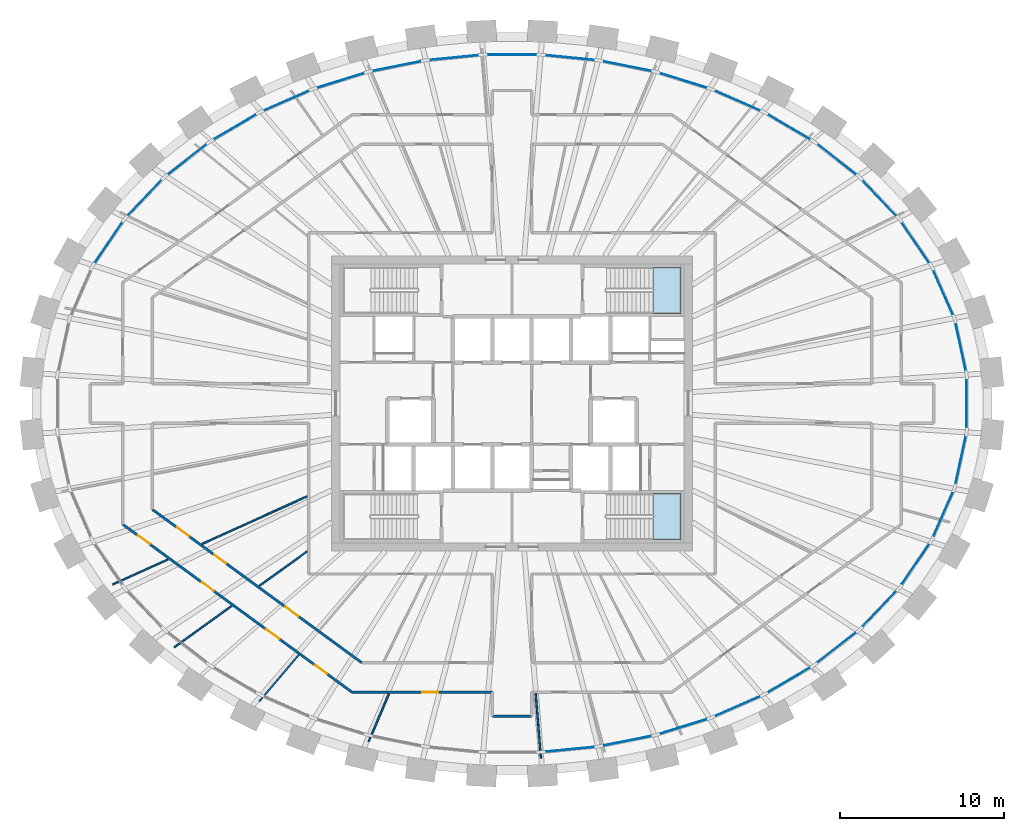
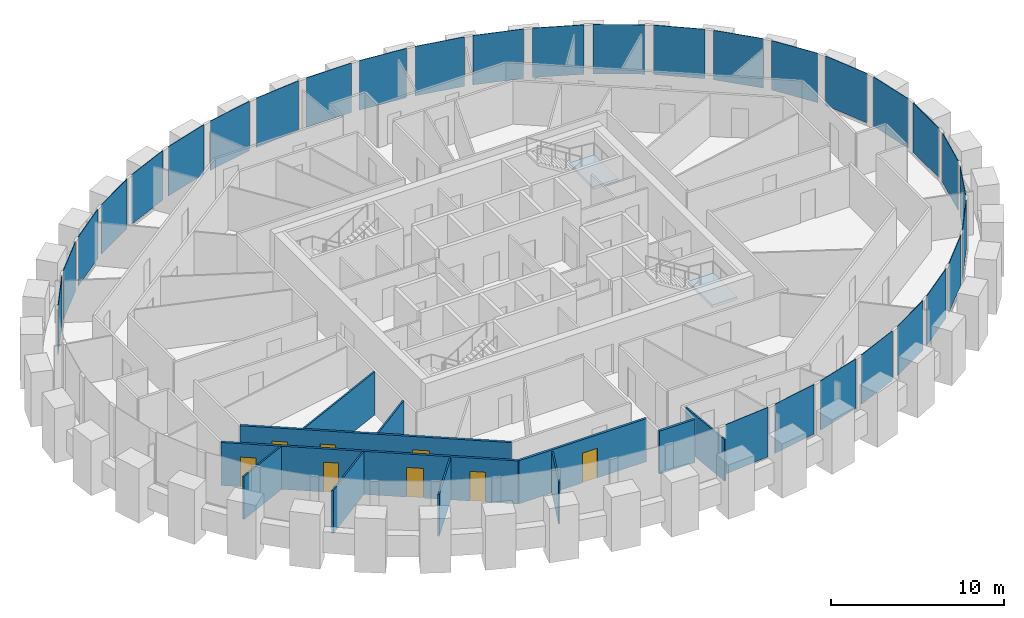
# One storey, part 5 of 11: 30 plates, 11 walls, 8 doors, 2 slabs, 8 openings, 3 elements without a shape of their own.
"""IFC4 building model written with IfcOpenShell, lengths in metres."""

from ifc_helpers import new_model, si_unit, direction, frame, frame_2d, origin, origin_2d, place, context, subcontext, project, spatial, polyline, rectangle, outline, extrude, source, transform, mapped, material, layer, layer_set, type_object, element, fill, aggregate, save


model = new_model("IFC4")

# Units and contexts
model_context = context("Model", 3, precision=1e-05, world=origin(), true_north=direction((0.0, 1.0)))
body_context = subcontext(model_context, "Body", "Model", "MODEL_VIEW")
ifc_project = project(units=[si_unit("LENGTHUNIT", "METRE"), si_unit("AREAUNIT", "SQUARE_METRE"), si_unit("VOLUMEUNIT", "CUBIC_METRE"), si_unit("PLANEANGLEUNIT", "RADIAN"), si_unit("MASSUNIT", "GRAM", prefix="KILO")], contexts=[model_context])

# Site, building, storey
site_placement = place(None, origin())
site = spatial("IfcSite", under=ifc_project, at=site_placement, CompositionType="ELEMENT")
building_placement = place(site_placement, origin())
building = spatial("IfcBuilding", under=site, at=building_placement, Name="Embergate Tower", CompositionType="ELEMENT")
storey_placement = place(building_placement, frame((0.0, 0.0, 328.60009765625)))
storey = spatial("IfcBuildingStorey", under=building, at=storey_placement, Name="L77", CompositionType="ELEMENT", Elevation=328.60009765625)

# Curtain wall, plates
ifc_material_1 = material(Name="Aluminium and glass", Category="aluminium")
curtain_wall_type = type_object("IfcCurtainWallType", Name="Recessed office glazing", PredefinedType="NOTDEFINED", material=ifc_material_1)
curtain_wall_placement = place(storey_placement, origin())
curtain_wall = element("IfcCurtainWall", 1, at=curtain_wall_placement, inside=storey, type_object=curtain_wall_type, Name="Recessed office glazing ring", ObjectType="RECESSED OFFICE GLAZING", PredefinedType="USERDEFINED")
ifc_material_2 = material(Name="Triple glazing, low-emissivity coating", Category="glass")
ifc_layer_1 = layer(ifc_material_2, 0.035888671875)
ifc_layer_set_1 = layer_set([ifc_layer_1], Name="Triple glazing, low-emissivity coating")
plate_type = type_object("IfcPlateType", Name="Office glazing unit", PredefinedType="CURTAIN_PANEL", material=ifc_layer_set_1)
shared_shape_1 = source(origin(), body_context, "Body", "SweptSolid", [
    extrude(rectangle(XDim=2.97119140625, YDim=0.035888671875, at=origin_2d()), origin(), (0.0, 0.0, 1.0), 3.5),
])
plate_1_placement = place(storey_placement, frame((27.359130859375, 3.450927734375, 0.14990234375), z_axis=(0.0, 0.0, 1.0), x_axis=(-0.210401803698, 0.977614996305, 0.0)))
plate_1 = element("IfcPlate", 2, at=plate_1_placement, type_object=plate_type, Name="CW panel 1.1", PredefinedType="CURTAIN_PANEL", context=body_context, shape_type="MappedRepresentation", body=[
    mapped(shared_shape_1, transform((0.0, 0.0, 0.0))),
])
plate_2_placement = place(storey_placement, frame((27.359130859375, -3.450927734375, 0.14990234375), z_axis=(0.0, 0.0, 1.0), x_axis=(0.210401803698, 0.977614996305, 0.0)))
plate_2 = element("IfcPlate", 3, at=plate_2_placement, type_object=plate_type, Name="CW panel 43.1", PredefinedType="CURTAIN_PANEL", context=body_context, shape_type="MappedRepresentation", body=[
    mapped(shared_shape_1, transform((0.0, 0.0, 0.0))),
])
shared_shape_2 = source(origin(), body_context, "Body", "SweptSolid", [
    extrude(rectangle(XDim=2.977783203125, YDim=0.035888671875, at=origin_2d()), origin(), (0.0, 0.0, 1.0), 3.5),
])
plate_3_placement = place(storey_placement, frame((26.28955078125, 6.759033203125, 0.14990234375), z_axis=(0.0, 0.0, 1.0), x_axis=(-0.401658494584, 0.915789524797, 0.0)))
plate_3 = element("IfcPlate", 4, at=plate_3_placement, type_object=plate_type, Name="CW panel 2.1", PredefinedType="CURTAIN_PANEL", context=body_context, shape_type="MappedRepresentation", body=[
    mapped(shared_shape_2, transform((0.0, 0.0, 0.0))),
])
plate_4_placement = place(storey_placement, frame((26.28955078125, -6.759033203125, 0.14990234375), z_axis=(0.0, 0.0, 1.0), x_axis=(0.401658494584, 0.915789524797, 0.0)))
plate_4 = element("IfcPlate", 5, at=plate_4_placement, type_object=plate_type, Name="CW panel 42.1", PredefinedType="CURTAIN_PANEL", context=body_context, shape_type="MappedRepresentation", body=[
    mapped(shared_shape_2, transform((0.0, 0.0, 0.0))),
])
shared_shape_3 = source(origin(), body_context, "Body", "SweptSolid", [
    extrude(rectangle(XDim=2.986328125, YDim=0.035888671875, at=origin_2d()), origin(), (0.0, 0.0, 1.0), 3.5),
])
plate_5_placement = place(storey_placement, frame((24.60107421875, 9.810302734375, 0.14990234375), z_axis=(0.0, 0.0, 1.0), x_axis=(-0.562347514787, 0.826901005328, 0.0)))
plate_5 = element("IfcPlate", 6, at=plate_5_placement, type_object=plate_type, Name="CW panel 3.1", PredefinedType="CURTAIN_PANEL", context=body_context, shape_type="MappedRepresentation", body=[
    mapped(shared_shape_3, transform((0.0, 0.0, 0.0))),
])
plate_6_placement = place(storey_placement, frame((-24.60107421875, 9.810302734375, 0.14990234375), z_axis=(0.0, 0.0, 1.0), x_axis=(-0.562347514787, -0.826901005328, 0.0)))
plate_6 = element("IfcPlate", 7, at=plate_6_placement, type_object=plate_type, Name="CW panel 19.1", PredefinedType="CURTAIN_PANEL", context=body_context, shape_type="MappedRepresentation", body=[
    mapped(shared_shape_3, transform((0.0, 0.0, 0.0))),
])
plate_7_placement = place(storey_placement, frame((24.60107421875, -9.810302734375, 0.14990234375), z_axis=(0.0, 0.0, 1.0), x_axis=(0.562347514787, 0.826901005328, 0.0)))
plate_7 = element("IfcPlate", 8, at=plate_7_placement, type_object=plate_type, Name="CW panel 41.1", PredefinedType="CURTAIN_PANEL", context=body_context, shape_type="MappedRepresentation", body=[
    mapped(shared_shape_3, transform((0.0, 0.0, 0.0))),
])
shared_shape_4 = source(origin(), body_context, "Body", "SweptSolid", [
    extrude(rectangle(XDim=2.994873046875, YDim=0.035888671875, at=origin_2d()), origin(), (0.0, 0.0, 1.0), 3.5),
])
plate_8_placement = place(storey_placement, frame((22.40234375, 12.531982421875, 0.14990234375), z_axis=(0.0, 0.0, 1.0), x_axis=(-0.690137573644, 0.723678194673, 0.0)))
plate_8 = element("IfcPlate", 9, at=plate_8_placement, type_object=plate_type, Name="CW panel 4.1", PredefinedType="CURTAIN_PANEL", context=body_context, shape_type="MappedRepresentation", body=[
    mapped(shared_shape_4, transform((0.0, 0.0, 0.0))),
])
plate_9_placement = place(storey_placement, frame((-22.40234375, 12.531982421875, 0.14990234375), z_axis=(0.0, 0.0, 1.0), x_axis=(-0.690137573644, -0.723678194673, 0.0)))
plate_9 = element("IfcPlate", 10, at=plate_9_placement, type_object=plate_type, Name="CW panel 18.1", PredefinedType="CURTAIN_PANEL", context=body_context, shape_type="MappedRepresentation", body=[
    mapped(shared_shape_4, transform((0.0, 0.0, 0.0))),
])
plate_10_placement = place(storey_placement, frame((22.40234375, -12.531982421875, 0.14990234375), z_axis=(0.0, 0.0, 1.0), x_axis=(0.690137573644, 0.723678194673, 0.0)))
plate_10 = element("IfcPlate", 11, at=plate_10_placement, type_object=plate_type, Name="CW panel 40.1", PredefinedType="CURTAIN_PANEL", context=body_context, shape_type="MappedRepresentation", body=[
    mapped(shared_shape_4, transform((0.0, 0.0, 0.0))),
])
shared_shape_5 = source(origin(), body_context, "Body", "SweptSolid", [
    extrude(rectangle(XDim=3.001953125, YDim=0.035888671875, at=origin_2d()), origin(), (0.0, 0.0, 1.0), 3.5),
])
plate_11_placement = place(storey_placement, frame((19.80126953125, 14.88720703125, 0.14990234375), z_axis=(0.0, 0.0, 1.0), x_axis=(-0.788322266931, 0.615262548398, 0.0)))
plate_11 = element("IfcPlate", 12, at=plate_11_placement, type_object=plate_type, Name="CW panel 5.1", PredefinedType="CURTAIN_PANEL", context=body_context, shape_type="MappedRepresentation", body=[
    mapped(shared_shape_5, transform((0.0, 0.0, 0.0))),
])
plate_12_placement = place(storey_placement, frame((-19.80126953125, 14.88720703125, 0.14990234375), z_axis=(0.0, 0.0, 1.0), x_axis=(-0.788322266931, -0.615262548398, 0.0)))
plate_12 = element("IfcPlate", 13, at=plate_12_placement, type_object=plate_type, Name="CW panel 17.1", PredefinedType="CURTAIN_PANEL", context=body_context, shape_type="MappedRepresentation", body=[
    mapped(shared_shape_5, transform((0.0, 0.0, 0.0))),
])
plate_13_placement = place(storey_placement, frame((19.80126953125, -14.88720703125, 0.14990234375), z_axis=(0.0, 0.0, 1.0), x_axis=(0.788322266931, 0.615262548398, 0.0)))
plate_13 = element("IfcPlate", 14, at=plate_13_placement, type_object=plate_type, Name="CW panel 39.1", PredefinedType="CURTAIN_PANEL", context=body_context, shape_type="MappedRepresentation", body=[
    mapped(shared_shape_5, transform((0.0, 0.0, 0.0))),
])
shared_shape_6 = source(origin(), body_context, "Body", "SweptSolid", [
    extrude(rectangle(XDim=3.0078125, YDim=0.035888671875, at=origin_2d()), origin(), (0.0, 0.0, 1.0), 3.5),
])
plate_14_placement = place(storey_placement, frame((16.892578125, 16.864501953125, 0.14990234375), z_axis=(0.0, 0.0, 1.0), x_axis=(-0.862054052374, 0.506816348183, 0.0)))
plate_14 = element("IfcPlate", 15, at=plate_14_placement, type_object=plate_type, Name="CW panel 6.1", PredefinedType="CURTAIN_PANEL", context=body_context, shape_type="MappedRepresentation", body=[
    mapped(shared_shape_6, transform((0.0, 0.0, 0.0))),
])
plate_15_placement = place(storey_placement, frame((-16.892578125, 16.864501953125, 0.14990234375), z_axis=(0.0, 0.0, 1.0), x_axis=(-0.862054052374, -0.506816348183, 0.0)))
plate_15 = element("IfcPlate", 16, at=plate_15_placement, type_object=plate_type, Name="CW panel 16.1", PredefinedType="CURTAIN_PANEL", context=body_context, shape_type="MappedRepresentation", body=[
    mapped(shared_shape_6, transform((0.0, 0.0, 0.0))),
])
plate_16_placement = place(storey_placement, frame((16.892578125, -16.864501953125, 0.14990234375), z_axis=(0.0, 0.0, 1.0), x_axis=(0.862054052374, 0.506816348183, 0.0)))
plate_16 = element("IfcPlate", 17, at=plate_16_placement, type_object=plate_type, Name="CW panel 38.1", PredefinedType="CURTAIN_PANEL", context=body_context, shape_type="MappedRepresentation", body=[
    mapped(shared_shape_6, transform((0.0, 0.0, 0.0))),
])
shared_shape_7 = source(origin(), body_context, "Body", "SweptSolid", [
    extrude(rectangle(XDim=3.01220703125, YDim=0.035888671875, at=origin_2d()), origin(), (0.0, 0.0, 1.0), 3.5),
])
plate_17_placement = place(storey_placement, frame((13.753662109375, 18.46630859375, 0.14990234375), z_axis=(0.0, 0.0, 1.0), x_axis=(-0.916236211741, 0.400638495772, 0.0)))
plate_17 = element("IfcPlate", 18, at=plate_17_placement, type_object=plate_type, Name="CW panel 7.1", PredefinedType="CURTAIN_PANEL", context=body_context, shape_type="MappedRepresentation", body=[
    mapped(shared_shape_7, transform((0.0, 0.0, 0.0))),
])
plate_18_placement = place(storey_placement, frame((-13.753662109375, 18.46630859375, 0.14990234375), z_axis=(0.0, 0.0, 1.0), x_axis=(-0.916236211741, -0.400638495772, 0.0)))
plate_18 = element("IfcPlate", 19, at=plate_18_placement, type_object=plate_type, Name="CW panel 15.1", PredefinedType="CURTAIN_PANEL", context=body_context, shape_type="MappedRepresentation", body=[
    mapped(shared_shape_7, transform((0.0, 0.0, 0.0))),
])
plate_19_placement = place(storey_placement, frame((13.753662109375, -18.46630859375, 0.14990234375), z_axis=(0.0, 0.0, 1.0), x_axis=(0.916236211741, 0.400638495772, 0.0)))
plate_19 = element("IfcPlate", 20, at=plate_19_placement, type_object=plate_type, Name="CW panel 37.1", PredefinedType="CURTAIN_PANEL", context=body_context, shape_type="MappedRepresentation", body=[
    mapped(shared_shape_7, transform((0.0, 0.0, 0.0))),
])
shared_shape_8 = source(origin(), body_context, "Body", "SweptSolid", [
    extrude(rectangle(XDim=3.015380859375, YDim=0.035888671875, at=origin_2d()), origin(), (0.0, 0.0, 1.0), 3.5),
])
plate_20_placement = place(storey_placement, frame((10.44775390625, 19.699462890625, 0.14990234375), z_axis=(0.0, 0.0, 1.0), x_axis=(-0.954772217174, 0.297338213676, 0.0)))
plate_20 = element("IfcPlate", 21, at=plate_20_placement, type_object=plate_type, Name="CW panel 8.1", PredefinedType="CURTAIN_PANEL", context=body_context, shape_type="MappedRepresentation", body=[
    mapped(shared_shape_8, transform((0.0, 0.0, 0.0))),
])
plate_21_placement = place(storey_placement, frame((-10.44775390625, 19.699462890625, 0.14990234375), z_axis=(0.0, 0.0, 1.0), x_axis=(-0.954772217174, -0.297338213676, 0.0)))
plate_21 = element("IfcPlate", 22, at=plate_21_placement, type_object=plate_type, Name="CW panel 14.1", PredefinedType="CURTAIN_PANEL", context=body_context, shape_type="MappedRepresentation", body=[
    mapped(shared_shape_8, transform((0.0, 0.0, 0.0))),
])
plate_22_placement = place(storey_placement, frame((10.44775390625, -19.699462890625, 0.14990234375), z_axis=(0.0, 0.0, 1.0), x_axis=(0.954772217174, 0.297338213676, 0.0)))
plate_22 = element("IfcPlate", 23, at=plate_22_placement, type_object=plate_type, Name="CW panel 36.1", PredefinedType="CURTAIN_PANEL", context=body_context, shape_type="MappedRepresentation", body=[
    mapped(shared_shape_8, transform((0.0, 0.0, 0.0))),
])
shared_shape_9 = source(origin(), body_context, "Body", "SweptSolid", [
    extrude(rectangle(XDim=3.017578125, YDim=0.035888671875, at=origin_2d()), origin(), (0.0, 0.0, 1.0), 3.5),
])
plate_23_placement = place(storey_placement, frame((7.025634765625, 20.57275390625, 0.14990234375), z_axis=(0.0, 0.0, 1.0), x_axis=(-0.980475907409, 0.196639250889, 0.0)))
plate_23 = element("IfcPlate", 24, at=plate_23_placement, type_object=plate_type, Name="CW panel 9.1", PredefinedType="CURTAIN_PANEL", context=body_context, shape_type="MappedRepresentation", body=[
    mapped(shared_shape_9, transform((0.0, 0.0, 0.0))),
])
plate_24_placement = place(storey_placement, frame((-7.025634765625, 20.57275390625, 0.14990234375), z_axis=(0.0, 0.0, 1.0), x_axis=(-0.980475907409, -0.196639250889, 0.0)))
plate_24 = element("IfcPlate", 25, at=plate_24_placement, type_object=plate_type, Name="CW panel 13.1", PredefinedType="CURTAIN_PANEL", context=body_context, shape_type="MappedRepresentation", body=[
    mapped(shared_shape_9, transform((0.0, 0.0, 0.0))),
])
plate_25_placement = place(storey_placement, frame((7.025634765625, -20.57275390625, 0.14990234375), z_axis=(0.0, 0.0, 1.0), x_axis=(0.980475907409, 0.196639250889, 0.0)))
plate_25 = element("IfcPlate", 26, at=plate_25_placement, type_object=plate_type, Name="CW panel 35.1", PredefinedType="CURTAIN_PANEL", context=body_context, shape_type="MappedRepresentation", body=[
    mapped(shared_shape_9, transform((0.0, 0.0, 0.0))),
])
shared_shape_10 = source(origin(), body_context, "Body", "SweptSolid", [
    extrude(rectangle(XDim=3.018798828125, YDim=0.035888671875, at=origin_2d()), origin(), (0.0, 0.0, 1.0), 3.5),
])
plate_26_placement = place(storey_placement, frame((3.530517578125, 21.09375, 0.14990234375), z_axis=(0.0, 0.0, 1.0), x_axis=(-0.995203184788, 0.097829550688, 0.0)))
plate_26 = element("IfcPlate", 27, at=plate_26_placement, type_object=plate_type, Name="CW panel 10.1", PredefinedType="CURTAIN_PANEL", context=body_context, shape_type="MappedRepresentation", body=[
    mapped(shared_shape_10, transform((0.0, 0.0, 0.0))),
])
plate_27_placement = place(storey_placement, frame((-3.530517578125, 21.09375, 0.14990234375), z_axis=(0.0, 0.0, 1.0), x_axis=(-0.995203184788, -0.097829550688, 0.0)))
plate_27 = element("IfcPlate", 28, at=plate_27_placement, type_object=plate_type, Name="CW panel 12.1", PredefinedType="CURTAIN_PANEL", context=body_context, shape_type="MappedRepresentation", body=[
    mapped(shared_shape_10, transform((0.0, 0.0, 0.0))),
])
plate_28_placement = place(storey_placement, frame((3.530517578125, -21.09375, 0.14990234375), z_axis=(0.0, 0.0, 1.0), x_axis=(0.995203184788, 0.097829550688, 0.0)))
plate_28 = element("IfcPlate", 29, at=plate_28_placement, type_object=plate_type, Name="CW panel 34.1", PredefinedType="CURTAIN_PANEL", context=body_context, shape_type="MappedRepresentation", body=[
    mapped(shared_shape_10, transform((0.0, 0.0, 0.0))),
])
shared_shape_11 = source(origin(), body_context, "Body", "SweptSolid", [
    extrude(rectangle(XDim=3.019287109375, YDim=0.035888671875, at=origin_2d()), origin(), (0.0, 0.0, 1.0), 3.5),
])
plate_29_placement = place(storey_placement, frame((0.0, 21.266845703125, 0.14990234375), z_axis=(0.0, 0.0, 1.0), x_axis=(-1.0, 0.0, 0.0)))
plate_29 = element("IfcPlate", 30, at=plate_29_placement, type_object=plate_type, Name="CW panel 11.1", PredefinedType="CURTAIN_PANEL", context=body_context, shape_type="MappedRepresentation", body=[
    mapped(shared_shape_11, transform((0.0, 0.0, 0.0))),
])
shared_shape_12 = source(origin(), body_context, "Body", "SweptSolid", [
    extrude(rectangle(XDim=2.968505859375, YDim=0.035888671875, at=origin_2d()), origin(), (0.0, 0.0, 1.0), 3.5),
])
plate_30_placement = place(storey_placement, frame((27.7265625, 0.0, 0.14990234375), z_axis=(0.0, 0.0, 1.0), x_axis=(0.0, 1.0, 0.0)))
plate_30 = element("IfcPlate", 31, at=plate_30_placement, type_object=plate_type, Name="CW panel 44.1", PredefinedType="CURTAIN_PANEL", context=body_context, shape_type="MappedRepresentation", body=[
    mapped(shared_shape_12, transform((0.0, 0.0, 0.0))),
])
aggregate(curtain_wall, [plate_1, plate_3, plate_5, plate_8, plate_11, plate_14, plate_17, plate_20, plate_23, plate_26, plate_29, plate_27, plate_24, plate_21, plate_18, plate_15, plate_12, plate_9, plate_6, plate_28, plate_25, plate_22, plate_19, plate_16, plate_13, plate_10, plate_7, plate_4, plate_2, plate_30])

# Stair, slab
ifc_material_3 = material(Name="Exit stair")
stair_type = type_object("IfcStairType", Name="Exit stair", PredefinedType="HALF_TURN_STAIR", material=ifc_material_3)
stair_1_placement = place(storey_placement, origin())
stair_1 = element("IfcStair", 32, at=stair_1_placement, inside=storey, type_object=stair_type, Name="L77 Exit stair 2", PredefinedType="HALF_TURN_STAIR")
ifc_material_4 = material(Name="Concrete C40", Category="concrete")
ifc_layer_2 = layer(ifc_material_4, 0.199951171875)
ifc_layer_set_2 = layer_set([ifc_layer_2], Name="Concrete C40")
slab_type = type_object("IfcSlabType", Name="Stair landing reinforced concrete", PredefinedType="LANDING", material=ifc_layer_set_2)
shared_shape_13 = source(origin(), body_context, "Body", "SweptSolid", [
    extrude(outline(polyline([(0.0, 0.0), (1.68994140625, 0.0), (1.68994140625, 2.800048828125), (0.0, 2.800048828125), (0.0, 0.0)])), origin(), (0.0, 0.0, 1.0), 0.199951171875),
])
slab_1_placement = place(storey_placement, frame((8.610107421875, 5.5, 1.75)))
slab_1 = element("IfcSlab", 33, at=slab_1_placement, type_object=slab_type, Name="ST2 landing 1", PredefinedType="LANDING", context=body_context, shape_type="MappedRepresentation", body=[
    mapped(shared_shape_13, transform((0.0, 0.0, 0.0))),
])
aggregate(stair_1, [slab_1])

stair_2_placement = place(storey_placement, origin())
stair_2 = element("IfcStair", 34, at=stair_2_placement, inside=storey, type_object=stair_type, Name="L77 Exit stair 4", PredefinedType="HALF_TURN_STAIR")
slab_2_placement = place(storey_placement, frame((8.610107421875, -8.300048828125, 1.75)))
slab_2 = element("IfcSlab", 35, at=slab_2_placement, type_object=slab_type, Name="ST4 landing 1", PredefinedType="LANDING", context=body_context, shape_type="MappedRepresentation", body=[
    mapped(shared_shape_13, transform((0.0, 0.0, 0.0))),
])
aggregate(stair_2, [slab_2])

# Wall, openings, doors
ifc_material_5 = material(Name="Corridor wall dry-lined 150")
ifc_layer_3 = layer(ifc_material_5, 0.14990234375)
ifc_layer_set_3 = layer_set([ifc_layer_3], Name="Corridor wall dry-lined 150")
wall_type_1 = type_object("IfcWallType", Name="Corridor wall dry-lined 150", PredefinedType="PARTITIONING", material=ifc_layer_set_3)
shared_shape_14 = source(origin(), body_context, "Body", "SweptSolid", [
    extrude(rectangle(XDim=17.3251953125, YDim=0.14990234375, at=frame_2d((8.66259765625, 0.0))), origin(), (0.0, 0.0, 1.0), 3.0498046875),
])
wall_1_placement = place(storey_placement, frame((-9.751953125, -17.611083984375, 0.0), z_axis=(0.0, 0.0, 1.0), x_axis=(-0.806969554432, 0.590593039427, 0.0)))
wall_1 = element("IfcWall", 36, at=wall_1_placement, inside=storey, type_object=wall_type_1, Name="IP-2 wall", PredefinedType="PARTITIONING", context=body_context, shape_type="MappedRepresentation", body=[
    mapped(shared_shape_14, transform((0.0, 0.0, 0.0))),
])
shared_shape_15 = source(origin(), body_context, "Body", "SweptSolid", [
    extrude(rectangle(XDim=0.89990234375, YDim=2.10009765625, at=frame_2d((0.449951171875, 1.050048828125))), frame((0.0, 0.0849609375, 0.0), z_axis=(0.0, -1.0, 0.0), x_axis=(1.0, 0.0, 0.0)), (0.0, 0.0, 1.0), 0.169921875),
])
opening_1_placement = place(wall_1_placement, frame((15.291015625, 0.0, 0.0)))
opening_1 = element("IfcOpeningElement", 37, at=opening_1_placement, cuts=wall_1, Name="Opening IF-1c", PredefinedType="OPENING", context=body_context, shape_type="MappedRepresentation", body=[
    mapped(shared_shape_15, transform((0.0, 0.0, 0.0))),
])
opening_2_placement = place(wall_1_placement, frame((10.457763671875, 0.0, 0.0)))
opening_2 = element("IfcOpeningElement", 38, at=opening_2_placement, cuts=wall_1, Name="Opening IF-1c", PredefinedType="OPENING", context=body_context, shape_type="MappedRepresentation", body=[
    mapped(shared_shape_15, transform((0.0, 0.0, 0.0))),
])
shared_shape_16 = source(origin(), body_context, "Body", "SweptSolid", [
    extrude(rectangle(XDim=1.0, YDim=2.10009765625, at=frame_2d((0.5, 1.050048828125))), frame((0.0, 0.0849609375, 0.0), z_axis=(0.0, -1.0, 0.0), x_axis=(1.0, 0.0, 0.0)), (0.0, 0.0, 1.0), 0.169921875),
])
opening_3_placement = place(wall_1_placement, frame((5.502685546875, 0.0, 0.0)))
opening_3 = element("IfcOpeningElement", 39, at=opening_3_placement, cuts=wall_1, Name="Opening ID-2", PredefinedType="OPENING", context=body_context, shape_type="MappedRepresentation", body=[
    mapped(shared_shape_16, transform((0.0, 0.0, 0.0))),
])
opening_4_placement = place(wall_1_placement, frame((1.903564453125, 0.0, 0.0)))
opening_4 = element("IfcOpeningElement", 40, at=opening_4_placement, cuts=wall_1, Name="Opening IF-1c", PredefinedType="OPENING", context=body_context, shape_type="MappedRepresentation", body=[
    mapped(shared_shape_15, transform((0.0, 0.0, 0.0))),
])
ifc_material_6 = material(Name="Escape fire door 900")
door_type_1 = type_object("IfcDoorType", Name="Escape fire door 900", OperationType="SINGLE_SWING_LEFT", PredefinedType="DOOR", material=ifc_material_6)
shared_shape_17 = source(origin(), body_context, "Body", "SweptSolid", [
    extrude(rectangle(XDim=0.89990234375, YDim=2.10009765625, at=frame_2d((0.449951171875, 1.050048828125))), frame((0.0, 0.02490234375, 0.0), z_axis=(0.0, -1.0, 0.0), x_axis=(1.0, 0.0, 0.0)), (0.0, 0.0, 1.0), 0.050048828125),
])
door_1_placement = place(opening_1_placement, origin())
door_1 = element("IfcDoor", 41, at=door_1_placement, inside=storey, type_object=door_type_1, Name="IF-1 door", OperationType="SINGLE_SWING_RIGHT", OverallHeight=2.10009765625, OverallWidth=0.89990234375, PredefinedType="DOOR", context=body_context, shape_type="MappedRepresentation", body=[
    mapped(shared_shape_17, transform((0.0, 0.0, 0.0))),
])
fill(opening_1, door_1)
door_2_placement = place(opening_2_placement, origin())
door_2 = element("IfcDoor", 42, at=door_2_placement, inside=storey, type_object=door_type_1, Name="IF-1 door", OperationType="SINGLE_SWING_RIGHT", OverallHeight=2.10009765625, OverallWidth=0.89990234375, PredefinedType="DOOR", context=body_context, shape_type="MappedRepresentation", body=[
    mapped(shared_shape_17, transform((0.0, 0.0, 0.0))),
])
fill(opening_2, door_2)
door_3_placement = place(opening_4_placement, origin())
door_3 = element("IfcDoor", 43, at=door_3_placement, inside=storey, type_object=door_type_1, Name="IF-1 door", OperationType="SINGLE_SWING_RIGHT", OverallHeight=2.10009765625, OverallWidth=0.89990234375, PredefinedType="DOOR", context=body_context, shape_type="MappedRepresentation", body=[
    mapped(shared_shape_17, transform((0.0, 0.0, 0.0))),
])
fill(opening_4, door_3)
ifc_material_7 = material(Name="Interior door 1000")
door_type_2 = type_object("IfcDoorType", Name="Interior door 1000", OperationType="SINGLE_SWING_LEFT", PredefinedType="DOOR", material=ifc_material_7)
shared_shape_18 = source(origin(), body_context, "Body", "SweptSolid", [
    extrude(rectangle(XDim=1.0, YDim=2.10009765625, at=frame_2d((0.5, 1.050048828125))), frame((0.0, 0.02490234375, 0.0), z_axis=(0.0, -1.0, 0.0), x_axis=(1.0, 0.0, 0.0)), (0.0, 0.0, 1.0), 0.050048828125),
])
door_4_placement = place(opening_3_placement, origin())
door_4 = element("IfcDoor", 44, at=door_4_placement, inside=storey, type_object=door_type_2, Name="ID-2 door", OperationType="SINGLE_SWING_LEFT", OverallHeight=2.10009765625, OverallWidth=1.0, PredefinedType="DOOR", context=body_context, shape_type="MappedRepresentation", body=[
    mapped(shared_shape_18, transform((0.0, 0.0, 0.0))),
])
fill(opening_3, door_4)

shared_shape_19 = source(origin(), body_context, "Body", "SweptSolid", [
    extrude(rectangle(XDim=15.82470703125, YDim=0.14990234375, at=frame_2d((7.912353515625, 0.0))), origin(), (0.0, 0.0, 1.0), 3.0498046875),
])
wall_2_placement = place(storey_placement, frame((-21.93310546875, -6.465087890625, 0.0), z_axis=(0.0, 0.0, 1.0), x_axis=(0.80696917181, -0.590593562231, 0.0)))
wall_2 = element("IfcWall", 45, at=wall_2_placement, inside=storey, type_object=wall_type_1, Name="IP-2 wall", PredefinedType="PARTITIONING", context=body_context, shape_type="MappedRepresentation", body=[
    mapped(shared_shape_19, transform((0.0, 0.0, 0.0))),
])
opening_5_placement = place(wall_2_placement, frame((1.85986328125, 0.0, 0.0)))
opening_5 = element("IfcOpeningElement", 46, at=opening_5_placement, cuts=wall_2, Name="Opening IF-1c", PredefinedType="OPENING", context=body_context, shape_type="MappedRepresentation", body=[
    mapped(shared_shape_15, transform((0.0, 0.0, 0.0))),
])
opening_6_placement = place(wall_2_placement, frame((4.677734375, 0.0, 0.0)))
opening_6 = element("IfcOpeningElement", 47, at=opening_6_placement, cuts=wall_2, Name="Opening IF-1c", PredefinedType="OPENING", context=body_context, shape_type="MappedRepresentation", body=[
    mapped(shared_shape_15, transform((0.0, 0.0, 0.0))),
])
opening_7_placement = place(wall_2_placement, frame((10.051513671875, 0.0, 0.0)))
opening_7 = element("IfcOpeningElement", 48, at=opening_7_placement, cuts=wall_2, Name="Opening ID-2", PredefinedType="OPENING", context=body_context, shape_type="MappedRepresentation", body=[
    mapped(shared_shape_16, transform((0.0, 0.0, 0.0))),
])
door_5_placement = place(opening_5_placement, origin())
door_5 = element("IfcDoor", 49, at=door_5_placement, inside=storey, type_object=door_type_1, Name="IF-1 door", OperationType="SINGLE_SWING_LEFT", OverallHeight=2.10009765625, OverallWidth=0.89990234375, PredefinedType="DOOR", context=body_context, shape_type="MappedRepresentation", body=[
    mapped(shared_shape_17, transform((0.0, 0.0, 0.0))),
])
fill(opening_5, door_5)
door_6_placement = place(opening_6_placement, origin())
door_6 = element("IfcDoor", 50, at=door_6_placement, inside=storey, type_object=door_type_1, Name="IF-1 door", OperationType="SINGLE_SWING_LEFT", OverallHeight=2.10009765625, OverallWidth=0.89990234375, PredefinedType="DOOR", context=body_context, shape_type="MappedRepresentation", body=[
    mapped(shared_shape_17, transform((0.0, 0.0, 0.0))),
])
fill(opening_6, door_6)
door_7_placement = place(opening_7_placement, origin())
door_7 = element("IfcDoor", 51, at=door_7_placement, inside=storey, type_object=door_type_2, Name="ID-2 door", OperationType="SINGLE_SWING_LEFT", OverallHeight=2.10009765625, OverallWidth=1.0, PredefinedType="DOOR", context=body_context, shape_type="MappedRepresentation", body=[
    mapped(shared_shape_18, transform((0.0, 0.0, 0.0))),
])
fill(opening_7, door_7)

# Wall, opening, door
shared_shape_20 = source(origin(), body_context, "Body", "SweptSolid", [
    extrude(rectangle(XDim=8.552001953125, YDim=0.14990234375, at=frame_2d((4.27587890625, 0.0))), origin(), (0.0, 0.0, 1.0), 3.0498046875),
])
wall_3_placement = place(storey_placement, frame((-9.751953125, -17.611083984375, 0.0), z_axis=(0.0, 0.0, 1.0), x_axis=(1.0, 0.0, 0.0)))
wall_3 = element("IfcWall", 52, at=wall_3_placement, inside=storey, type_object=wall_type_1, Name="IP-2 wall", PredefinedType="PARTITIONING", context=body_context, shape_type="MappedRepresentation", body=[
    mapped(shared_shape_20, transform((0.0, 0.0, 0.0))),
])
opening_8_placement = place(wall_3_placement, frame((4.265869140625, 0.0, 0.0)))
opening_8 = element("IfcOpeningElement", 53, at=opening_8_placement, cuts=wall_3, Name="Opening ID-2", PredefinedType="OPENING", context=body_context, shape_type="MappedRepresentation", body=[
    mapped(shared_shape_16, transform((0.0, 0.0, 0.0))),
])
door_8_placement = place(opening_8_placement, origin())
door_8 = element("IfcDoor", 54, at=door_8_placement, inside=storey, type_object=door_type_2, Name="ID-2 door", OperationType="SINGLE_SWING_RIGHT", OverallHeight=2.10009765625, OverallWidth=1.0, PredefinedType="DOOR", context=body_context, shape_type="MappedRepresentation", body=[
    mapped(shared_shape_18, transform((0.0, 0.0, 0.0))),
])
fill(opening_8, door_8)

# Walls
shared_shape_21 = source(origin(), body_context, "Body", "SweptSolid", [
    extrude(rectangle(XDim=2.39990234375, YDim=0.14990234375, at=frame_2d((1.199951171875, 0.0))), origin(), (0.0, 0.0, 1.0), 3.0498046875),
])
wall_4_placement = place(storey_placement, frame((1.199951171875, -19.087890625, 0.0), z_axis=(0.0, 0.0, 1.0), x_axis=(-1.0, 0.0, 0.0)))
element("IfcWall", 55, at=wall_4_placement, inside=storey, type_object=wall_type_1, Name="IP-2 wall", PredefinedType="PARTITIONING", context=body_context, shape_type="MappedRepresentation", body=[
    mapped(shared_shape_21, transform((0.0, 0.0, 0.0))),
])
ifc_material_8 = material(Name="Partition dry-lined 100")
ifc_layer_4 = layer(ifc_material_8, 0.10009765625)
ifc_layer_set_4 = layer_set([ifc_layer_4], Name="Partition dry-lined 100")
wall_type_2 = type_object("IfcWallType", Name="Partition dry-lined 100", PredefinedType="PARTITIONING", material=ifc_layer_set_4)
shared_shape_22 = source(origin(), body_context, "Body", "SweptSolid", [
    extrude(rectangle(XDim=3.70166015625, YDim=0.10009765625, at=frame_2d((1.850830078125, 0.0))), origin(), (0.0, 0.0, 1.0), 3.0498046875),
])
wall_5_placement = place(storey_placement, frame((-20.98388671875, -9.513916015625, 0.0), z_axis=(0.0, 0.0, 1.0), x_axis=(-0.910698215065, -0.413072343638, 0.0)))
element("IfcWall", 56, at=wall_5_placement, inside=storey, type_object=wall_type_2, Name="IP-1 wall", PredefinedType="PARTITIONING", context=body_context, shape_type="MappedRepresentation", body=[
    mapped(shared_shape_22, transform((0.0, 0.0, 0.0))),
])
shared_shape_23 = source(origin(), body_context, "Body", "SweptSolid", [
    extrude(rectangle(XDim=4.31689453125, YDim=0.10009765625, at=frame_2d((2.158447265625, 0.0))), origin(), (0.0, 0.0, 1.0), 3.0498046875),
])
wall_6_placement = place(storey_placement, frame((-17.10009765625, -12.344970703125, 0.0), z_axis=(0.0, 0.0, 1.0), x_axis=(-0.810753785522, -0.585387307055, 0.0)))
element("IfcWall", 57, at=wall_6_placement, inside=storey, type_object=wall_type_2, Name="IP-1 wall", PredefinedType="PARTITIONING", context=body_context, shape_type="MappedRepresentation", body=[
    mapped(shared_shape_23, transform((0.0, 0.0, 0.0))),
])
shared_shape_24 = source(origin(), body_context, "Body", "SweptSolid", [
    extrude(rectangle(XDim=3.742431640625, YDim=0.10009765625, at=frame_2d((1.87109375, 0.0))), origin(), (0.0, 0.0, 1.0), 2.949951171875),
])
wall_7_placement = place(storey_placement, frame((-12.998046875, -15.327880859375, 0.0), z_axis=(0.0, 0.0, 1.0), x_axis=(-0.646871700436, -0.762598848134, 0.0)))
element("IfcWall", 58, at=wall_7_placement, inside=storey, type_object=wall_type_2, Name="IP-1 wall", PredefinedType="PARTITIONING", context=body_context, shape_type="MappedRepresentation", body=[
    mapped(shared_shape_24, transform((0.0, 0.0, 0.0))),
])
shared_shape_25 = source(origin(), body_context, "Body", "SweptSolid", [
    extrude(rectangle(XDim=7.02490234375, YDim=0.10009765625, at=frame_2d((3.512451171875, 0.0))), origin(), (0.0, 0.0, 1.0), 3.0498046875),
])
wall_8_placement = place(storey_placement, frame((-12.49609375, -5.6650390625, 0.0), z_axis=(0.0, 0.0, 1.0), x_axis=(-0.910756456796, -0.412943914357, 0.0)))
element("IfcWall", 59, at=wall_8_placement, inside=storey, type_object=wall_type_2, Name="IP-1 wall", PredefinedType="PARTITIONING", context=body_context, shape_type="MappedRepresentation", body=[
    mapped(shared_shape_25, transform((0.0, 0.0, 0.0))),
])
shared_shape_26 = source(origin(), body_context, "Body", "SweptSolid", [
    extrude(rectangle(XDim=3.58642578125, YDim=0.10009765625, at=frame_2d((1.793212890625, 0.0))), origin(), (0.0, 0.0, 1.0), 3.0498046875),
])
wall_9_placement = place(storey_placement, frame((-12.50390625, -9.027099609375, 0.0), z_axis=(0.0, 0.0, 1.0), x_axis=(-0.810876633246, -0.585217126932, 0.0)))
element("IfcWall", 60, at=wall_9_placement, inside=storey, type_object=wall_type_2, Name="IP-1 wall", PredefinedType="PARTITIONING", context=body_context, shape_type="MappedRepresentation", body=[
    mapped(shared_shape_26, transform((0.0, 0.0, 0.0))),
])
shared_shape_27 = source(origin(), body_context, "Body", "SweptSolid", [
    extrude(rectangle(XDim=3.170166015625, YDim=0.10009765625, at=frame_2d((1.5849609375, 0.0))), origin(), (0.0, 0.0, 1.0), 2.949951171875),
])
wall_10_placement = place(storey_placement, frame((-7.5048828125, -17.7060546875, 0.0), z_axis=(0.0, 0.0, 1.0), x_axis=(-0.390207681479, -0.920726867923, 0.0)))
element("IfcWall", 61, at=wall_10_placement, inside=storey, type_object=wall_type_2, Name="IP-1 wall", PredefinedType="PARTITIONING", context=body_context, shape_type="MappedRepresentation", body=[
    mapped(shared_shape_27, transform((0.0, 0.0, 0.0))),
])
shared_shape_28 = source(origin(), body_context, "Body", "SweptSolid", [
    extrude(rectangle(XDim=3.97216796875, YDim=0.10009765625, at=frame_2d((1.986083984375, 0.0))), origin(), (0.0, 0.0, 1.0), 2.949951171875),
])
wall_11_placement = place(storey_placement, frame((1.443115234375, -17.68603515625, 0.0), z_axis=(0.0, 0.0, 1.0), x_axis=(0.081315905558, -0.996688378333, 0.0)))
element("IfcWall", 62, at=wall_11_placement, inside=storey, type_object=wall_type_2, Name="IP-1 wall", PredefinedType="PARTITIONING", context=body_context, shape_type="MappedRepresentation", body=[
    mapped(shared_shape_28, transform((0.0, 0.0, 0.0))),
])

save(model, "model.ifc")
